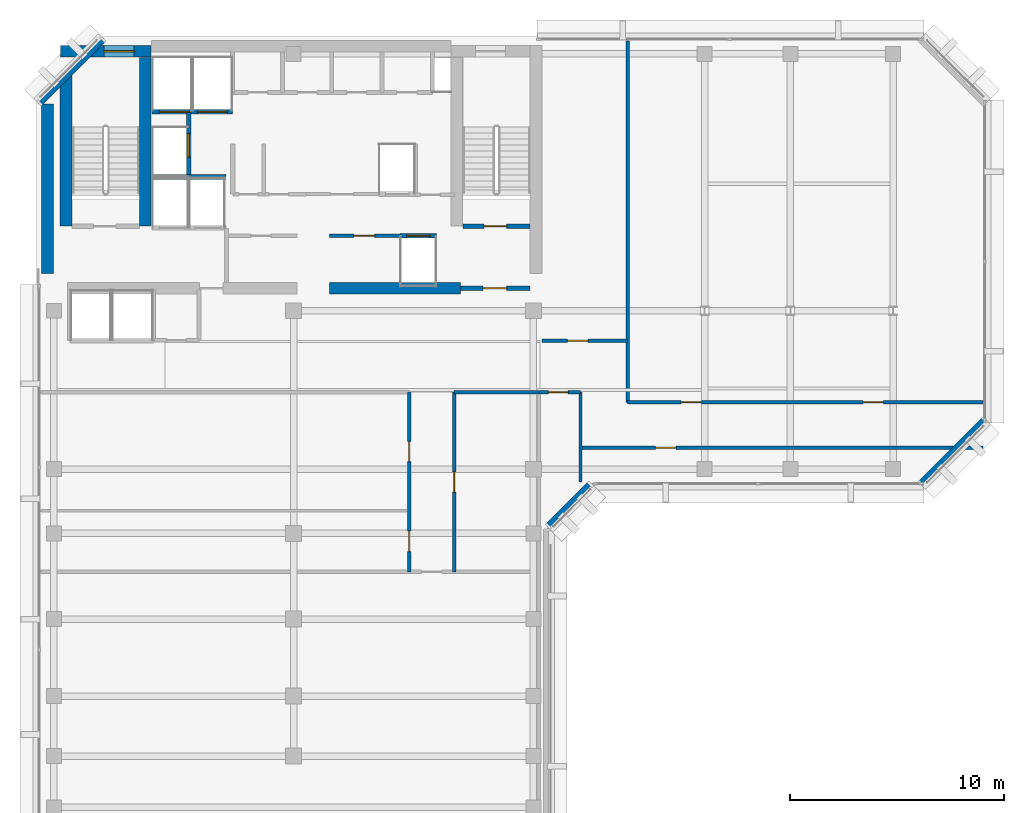
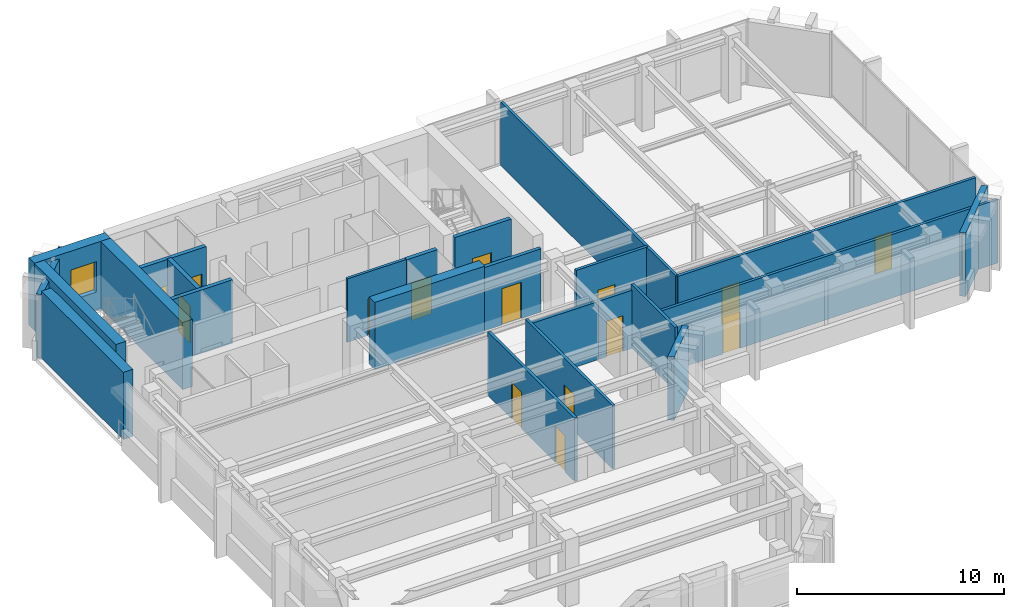
# One storey, part 7 of 12: 24 walls, 15 doors, 1 window, 16 openings.
"""IFC4 building model written with IfcOpenShell, lengths in metres."""

from ifc_helpers import new_model, si_unit, direction, frame, frame_2d, origin, place, context, subcontext, project, spatial, rectangle, extrude, material, layer, layer_set, type_object, element, fill, save


model = new_model("IFC4")

# Units and contexts
model_context = context("Model", 3, precision=1e-05, world=origin(), true_north=direction((0.0, 1.0)))
body_context = subcontext(model_context, "Body", "Model", "MODEL_VIEW")
ifc_project = project(units=[si_unit("LENGTHUNIT", "METRE"), si_unit("AREAUNIT", "SQUARE_METRE"), si_unit("VOLUMEUNIT", "CUBIC_METRE"), si_unit("PLANEANGLEUNIT", "RADIAN"), si_unit("MASSUNIT", "GRAM", prefix="KILO")], contexts=[model_context])

# Site, building, storey
site_placement = place(None, origin())
site = spatial("IfcSite", under=ifc_project, at=site_placement, CompositionType="ELEMENT")
building_placement = place(site_placement, origin())
building = spatial("IfcBuilding", under=site, at=building_placement, Name="Kefirva Bronze Tower", CompositionType="ELEMENT")
storey_placement = place(building_placement, frame((0.0, 0.0, 327.68994140625)))
storey = spatial("IfcBuildingStorey", under=building, at=storey_placement, Name="L80", CompositionType="ELEMENT", Elevation=327.68994140625)

# Wall, opening, door
ifc_material_1 = material(Name="Gypsum acoustic partition")
ifc_layer_1 = layer(ifc_material_1, 0.14990234375, Name="Gypsum acoustic partition")
ifc_layer_set_1 = layer_set([ifc_layer_1], Name="Gypsum acoustic partition")
wall_type_1 = type_object("IfcWallType", Name="Executive Suite Partition 150mm", PredefinedType="PARTITIONING", material=ifc_layer_set_1)
wall_1_placement = place(storey_placement, frame((13.679931640625, 36.699951171875, 0.0), z_axis=(0.0, 0.0, 1.0), x_axis=(1.0, 0.0, 0.0)))
wall_1 = element("IfcWall", 1, at=wall_1_placement, inside=storey, type_object=wall_type_1, Name="L80 Partition W-L80-RECMP1", PredefinedType="PARTITIONING", context=body_context, shape_type="SweptSolid", body=[
    extrude(rectangle(XDim=3.280029296875, YDim=0.14990234375, at=frame_2d((1.64013671875, 0.0))), origin(), (0.0, 0.0, 1.0), 3.739990234375),
])
opening_1_placement = place(wall_1_placement, frame((1.14990234375, 0.0, 0.0)))
opening_1 = element("IfcOpeningElement", 2, at=opening_1_placement, cuts=wall_1, Name="Opening L80-D-RECMP1", PredefinedType="OPENING", context=body_context, shape_type="SweptSolid", body=[
    extrude(rectangle(XDim=0.949951171875, YDim=2.14990234375, at=frame_2d((0.47509765625, 1.074951171875))), frame((0.0, 0.0849609375, 0.0), z_axis=(0.0, -1.0, 0.0), x_axis=(1.0, 0.0, 0.0)), (0.0, 0.0, 1.0), 0.169921875),
])
ifc_material_2 = material(Name="Acoustic hardwood oak", Category="wood")
door_type_1 = type_object("IfcDoorType", Name="Office & Meeting Room Door 950x2150", OperationType="NOTDEFINED", PredefinedType="DOOR", material=ifc_material_2)
door_1_placement = place(opening_1_placement, origin())
door_1 = element("IfcDoor", 3, at=door_1_placement, inside=storey, type_object=door_type_1, Name="Door L80-D-RECMP1", OperationType="SINGLE_SWING_LEFT", OverallHeight=2.14990234375, OverallWidth=0.949951171875, PredefinedType="DOOR", context=body_context, shape_type="SweptSolid", body=[
    extrude(rectangle(XDim=0.949951171875, YDim=2.14990234375, at=frame_2d((0.47509765625, 1.074951171875))), frame((0.0, 0.02490234375, 0.0), z_axis=(0.0, -1.0, 0.0), x_axis=(1.0, 0.0, 0.0)), (0.0, 0.0, 1.0), 0.050048828125),
])
fill(opening_1, door_1)

ifc_material_3 = material(Name="Gypsum fireboard shaftwall")
ifc_layer_2 = layer(ifc_material_3, 0.219970703125, Name="Gypsum fireboard shaftwall")
ifc_layer_set_2 = layer_set([ifc_layer_2], Name="Gypsum fireboard shaftwall")
wall_type_2 = type_object("IfcWallType", Name="Fire-Rated Shaft Enclosure Wall 220mm", PredefinedType="PARTITIONING", material=ifc_layer_set_2)
wall_2_placement = place(storey_placement, frame((19.89990234375, 37.14990234375, 0.0), z_axis=(0.0, 0.0, 1.0), x_axis=(1.0, 0.0, 0.0)))
wall_2 = element("IfcWall", 4, at=wall_2_placement, inside=storey, type_object=wall_type_2, Name="L80 Partition W-L80-ST2S", PredefinedType="PARTITIONING", context=body_context, shape_type="SweptSolid", body=[
    extrude(rectangle(XDim=3.150146484375, YDim=0.219970703125, at=frame_2d((1.5751953125, 0.0))), origin(), (0.0, 0.0, 1.0), 3.739990234375),
])
opening_2_placement = place(wall_2_placement, frame((2.050048828125, 0.0, 0.0), z_axis=(0.0, 0.0, 1.0), x_axis=(-1.0, 0.0, 0.0)))
opening_2 = element("IfcOpeningElement", 5, at=opening_2_placement, cuts=wall_2, Name="Opening L80-D003", PredefinedType="OPENING", context=body_context, shape_type="SweptSolid", body=[
    extrude(rectangle(XDim=1.050048828125, YDim=2.14990234375, at=frame_2d((0.52490234375, 1.074951171875))), frame((0.0, 0.1201171875, 0.0), z_axis=(0.0, -1.0, 0.0), x_axis=(1.0, 0.0, 0.0)), (0.0, 0.0, 1.0), 0.239990234375),
])
ifc_material_4 = material(Name="Painted galvanized steel", Category="steel")
door_type_2 = type_object("IfcDoorType", Name="Fire Stair Enclosure Door 1050x2150 FD90S", OperationType="NOTDEFINED", PredefinedType="DOOR", material=ifc_material_4)
door_2_placement = place(opening_2_placement, origin())
door_2 = element("IfcDoor", 6, at=door_2_placement, inside=storey, type_object=door_type_2, Name="Door L80-D003", OperationType="SINGLE_SWING_RIGHT", OverallHeight=2.14990234375, OverallWidth=1.050048828125, PredefinedType="DOOR", context=body_context, shape_type="SweptSolid", body=[
    extrude(rectangle(XDim=1.050048828125, YDim=2.14990234375, at=frame_2d((0.52490234375, 1.074951171875))), frame((0.0, 0.02490234375, 0.0), z_axis=(0.0, -1.0, 0.0), x_axis=(1.0, 0.0, 0.0)), (0.0, 0.0, 1.0), 0.050048828125),
])
fill(opening_2, door_2)

# Wall
wall_3_placement = place(storey_placement, frame((5.3798828125, 39.449951171875, 0.0), z_axis=(0.0, 0.0, 1.0), x_axis=(1.0, 0.0, 0.0)))
element("IfcWall", 7, at=wall_3_placement, inside=storey, type_object=wall_type_2, Name="L80 Partition W-L80-FFN", PredefinedType="PARTITIONING", context=body_context, shape_type="SweptSolid", body=[
    extrude(rectangle(XDim=3.460205078125, YDim=0.219970703125, at=frame_2d((1.72998046875, 0.0))), origin(), (0.0, 0.0, 1.0), 3.739990234375),
])

# Wall, openings, doors
wall_4_placement = place(storey_placement, frame((5.3798828125, 42.5, 0.0), z_axis=(0.0, 0.0, 1.0), x_axis=(1.0, 0.0, 0.0)))
wall_4 = element("IfcWall", 8, at=wall_4_placement, inside=storey, type_object=wall_type_2, Name="L80 Partition W-L80-SVS", PredefinedType="PARTITIONING", context=body_context, shape_type="SweptSolid", body=[
    extrude(rectangle(XDim=3.77001953125, YDim=0.219970703125, at=frame_2d((1.885009765625, 0.0))), origin(), (0.0, 0.0, 1.0), 3.739990234375),
])
opening_3_placement = place(wall_4_placement, frame((1.75, 0.0, 0.0), z_axis=(0.0, 0.0, 1.0), x_axis=(-1.0, 0.0, 0.0)))
opening_3 = element("IfcOpeningElement", 9, at=opening_3_placement, cuts=wall_4, Name="Opening L80-LD-SV1", PredefinedType="OPENING", context=body_context, shape_type="SweptSolid", body=[
    extrude(rectangle(XDim=1.39990234375, YDim=2.199951171875, at=frame_2d((0.699951171875, 1.10009765625))), frame((0.0, 0.1201171875, 0.0), z_axis=(0.0, -1.0, 0.0), x_axis=(1.0, 0.0, 0.0)), (0.0, 0.0, 1.0), 0.239990234375),
])
opening_4_placement = place(wall_4_placement, frame((3.52978515625, 0.0, 0.0), z_axis=(0.0, 0.0, 1.0), x_axis=(-1.0, 0.0, 0.0)))
opening_4 = element("IfcOpeningElement", 10, at=opening_4_placement, cuts=wall_4, Name="Opening L80-LD-SV2", PredefinedType="OPENING", context=body_context, shape_type="SweptSolid", body=[
    extrude(rectangle(XDim=1.39990234375, YDim=2.199951171875, at=frame_2d((0.699951171875, 1.10009765625))), frame((0.0, 0.1201171875, 0.0), z_axis=(0.0, -1.0, 0.0), x_axis=(1.0, 0.0, 0.0)), (0.0, 0.0, 1.0), 0.239990234375),
])
ifc_material_5 = material(Name="Stainless steel 316", Category="steel")
door_type_3 = type_object("IfcDoorType", Name="Goods Lift Bi-Parting Sliding Door 1400x2200", OperationType="SLIDING_TO_LEFT", PredefinedType="DOOR", material=ifc_material_5)
door_3_placement = place(opening_3_placement, origin())
door_3 = element("IfcDoor", 11, at=door_3_placement, inside=storey, type_object=door_type_3, Name="Door L80-LD-SV1", OperationType="SLIDING_TO_LEFT", OverallHeight=2.199951171875, OverallWidth=1.39990234375, PredefinedType="DOOR", context=body_context, shape_type="SweptSolid", body=[
    extrude(rectangle(XDim=1.39990234375, YDim=2.199951171875, at=frame_2d((0.699951171875, 1.10009765625))), frame((0.0, 0.02490234375, 0.0), z_axis=(0.0, -1.0, 0.0), x_axis=(1.0, 0.0, 0.0)), (0.0, 0.0, 1.0), 0.050048828125),
])
fill(opening_3, door_3)
door_4_placement = place(opening_4_placement, origin())
door_4 = element("IfcDoor", 12, at=door_4_placement, inside=storey, type_object=door_type_3, Name="Door L80-LD-SV2", OperationType="SLIDING_TO_LEFT", OverallHeight=2.199951171875, OverallWidth=1.39990234375, PredefinedType="DOOR", context=body_context, shape_type="SweptSolid", body=[
    extrude(rectangle(XDim=1.39990234375, YDim=2.199951171875, at=frame_2d((0.699951171875, 1.10009765625))), frame((0.0, 0.02490234375, 0.0), z_axis=(0.0, -1.0, 0.0), x_axis=(1.0, 0.0, 0.0)), (0.0, 0.0, 1.0), 0.050048828125),
])
fill(opening_4, door_4)

# Wall, opening, door
wall_5_placement = place(storey_placement, frame((7.10009765625, 39.52001953125, 0.0), z_axis=(0.0, 0.0, 1.0), x_axis=(0.0, 1.0, 0.0)))
wall_5 = element("IfcWall", 13, at=wall_5_placement, inside=storey, type_object=wall_type_2, Name="L80 Partition W-L80-HP3E", PredefinedType="PARTITIONING", context=body_context, shape_type="SweptSolid", body=[
    extrude(rectangle(XDim=2.929931640625, YDim=0.219970703125, at=frame_2d((1.46484375, 0.0))), origin(), (0.0, 0.0, 1.0), 3.739990234375),
])
opening_5_placement = place(wall_5_placement, frame((0.85009765625, 0.0, 0.0)))
opening_5 = element("IfcOpeningElement", 14, at=opening_5_placement, cuts=wall_5, Name="Opening L80-LD-HP3", PredefinedType="OPENING", context=body_context, shape_type="SweptSolid", body=[
    extrude(rectangle(XDim=1.10009765625, YDim=2.199951171875, at=frame_2d((0.550048828125, 1.10009765625))), frame((0.0, 0.1201171875, 0.0), z_axis=(0.0, -1.0, 0.0), x_axis=(1.0, 0.0, 0.0)), (0.0, 0.0, 1.0), 0.239990234375),
])
door_type_4 = type_object("IfcDoorType", Name="Passenger Lift Sliding Landing Door 1100x2200", OperationType="SLIDING_TO_LEFT", PredefinedType="DOOR", material=ifc_material_5)
door_5_placement = place(opening_5_placement, origin())
door_5 = element("IfcDoor", 15, at=door_5_placement, inside=storey, type_object=door_type_4, Name="Door L80-LD-HP3", OperationType="SLIDING_TO_LEFT", OverallHeight=2.199951171875, OverallWidth=1.10009765625, PredefinedType="DOOR", context=body_context, shape_type="SweptSolid", body=[
    extrude(rectangle(XDim=1.10009765625, YDim=2.199951171875, at=frame_2d((0.550048828125, 1.10009765625))), frame((0.0, 0.02490234375, 0.0), z_axis=(0.0, -1.0, 0.0), x_axis=(1.0, 0.0, 0.0)), (0.0, 0.0, 1.0), 0.050048828125),
])
fill(opening_5, door_5)

wall_6_placement = place(storey_placement, frame((16.97998046875, 36.699951171875, 0.0), z_axis=(0.0, 0.0, 1.0), x_axis=(1.0, 0.0, 0.0)))
wall_6 = element("IfcWall", 16, at=wall_6_placement, inside=storey, type_object=wall_type_2, Name="L80 Partition W-L80-HPS", PredefinedType="PARTITIONING", context=body_context, shape_type="SweptSolid", body=[
    extrude(rectangle(XDim=1.699951171875, YDim=0.219970703125, at=frame_2d((0.85009765625, 0.0))), origin(), (0.0, 0.0, 1.0), 3.739990234375),
])
opening_6_placement = place(wall_6_placement, frame((0.300048828125, 0.0, 0.0)))
opening_6 = element("IfcOpeningElement", 17, at=opening_6_placement, cuts=wall_6, Name="Opening L80-LD-HP1", PredefinedType="OPENING", context=body_context, shape_type="SweptSolid", body=[
    extrude(rectangle(XDim=1.10009765625, YDim=2.199951171875, at=frame_2d((0.550048828125, 1.10009765625))), frame((0.0, 0.1201171875, 0.0), z_axis=(0.0, -1.0, 0.0), x_axis=(1.0, 0.0, 0.0)), (0.0, 0.0, 1.0), 0.239990234375),
])
door_6_placement = place(opening_6_placement, origin())
door_6 = element("IfcDoor", 18, at=door_6_placement, inside=storey, type_object=door_type_4, Name="Door L80-LD-HP1", OperationType="SLIDING_TO_LEFT", OverallHeight=2.199951171875, OverallWidth=1.10009765625, PredefinedType="DOOR", context=body_context, shape_type="SweptSolid", body=[
    extrude(rectangle(XDim=1.10009765625, YDim=2.199951171875, at=frame_2d((0.550048828125, 1.10009765625))), frame((0.0, 0.02490234375, 0.0), z_axis=(0.0, -1.0, 0.0), x_axis=(1.0, 0.0, 0.0)), (0.0, 0.0, 1.0), 0.050048828125),
])
fill(opening_6, door_6)

ifc_material_6 = material(Name="Gypsum fireboard barrier")
ifc_layer_3 = layer(ifc_material_6, 0.199951171875, Name="Gypsum fireboard barrier")
ifc_layer_set_3 = layer_set([ifc_layer_3], Name="Gypsum fireboard barrier")
wall_type_3 = type_object("IfcWallType", Name="Firefighting Lobby Barrier Wall 200mm", PredefinedType="PARTITIONING", material=ifc_layer_set_3)
wall_7_placement = place(storey_placement, frame((19.800048828125, 34.25, 0.0), z_axis=(0.0, 0.0, 1.0), x_axis=(1.0, 0.0, 0.0)))
wall_7 = element("IfcWall", 19, at=wall_7_placement, inside=storey, type_object=wall_type_3, Name="L80 Partition W-L80-ST2F", PredefinedType="PARTITIONING", context=body_context, shape_type="SweptSolid", body=[
    extrude(rectangle(XDim=3.25, YDim=0.199951171875, at=frame_2d((1.625, 0.0))), origin(), (0.0, 0.0, 1.0), 3.739990234375),
])
opening_7_placement = place(wall_7_placement, frame((2.150146484375, 0.0, 0.0), z_axis=(0.0, 0.0, 1.0), x_axis=(-1.0, 0.0, 0.0)))
opening_7 = element("IfcOpeningElement", 20, at=opening_7_placement, cuts=wall_7, Name="Opening L80-D004", PredefinedType="OPENING", context=body_context, shape_type="SweptSolid", body=[
    extrude(rectangle(XDim=1.10009765625, YDim=2.14990234375, at=frame_2d((0.550048828125, 1.074951171875))), frame((0.0, 0.10986328125, 0.0), z_axis=(0.0, -1.0, 0.0), x_axis=(1.0, 0.0, 0.0)), (0.0, 0.0, 1.0), 0.219970703125),
])
door_type_5 = type_object("IfcDoorType", Name="Firefighting Lobby Smoke Door 1100x2150 FD60S", OperationType="NOTDEFINED", PredefinedType="DOOR", material=ifc_material_4)
door_7_placement = place(opening_7_placement, origin())
door_7 = element("IfcDoor", 21, at=door_7_placement, inside=storey, type_object=door_type_5, Name="Door L80-D004", OperationType="SINGLE_SWING_LEFT", OverallHeight=2.14990234375, OverallWidth=1.10009765625, PredefinedType="DOOR", context=body_context, shape_type="SweptSolid", body=[
    extrude(rectangle(XDim=1.10009765625, YDim=2.14990234375, at=frame_2d((0.550048828125, 1.074951171875))), frame((0.0, 0.02490234375, 0.0), z_axis=(0.0, -1.0, 0.0), x_axis=(1.0, 0.0, 0.0)), (0.0, 0.0, 1.0), 0.050048828125),
])
fill(opening_7, door_7)

# Walls
ifc_material_7 = material(Name="Precast concrete C40/50", Category="concrete")
ifc_layer_4 = layer(ifc_material_7, 0.320068359375, Name="Precast concrete C40/50")
ifc_layer_set_4 = layer_set([ifc_layer_4], Name="Precast concrete C40/50")
wall_type_4 = type_object("IfcWallType", Name="Precast Insulated Exterior Wall 320mm", PredefinedType="SOLIDWALL", material=ifc_layer_set_4)
wall_8_placement = place(storey_placement, frame((23.92578125, 23.152099609375, 0.0), z_axis=(0.0, 0.0, 1.0), x_axis=(0.707106781187, 0.707106781187, 0.0)))
element("IfcWall", 22, at=wall_8_placement, inside=storey, type_object=wall_type_4, Name="L80 Exterior Facade Wall 6", PredefinedType="SOLIDWALL", context=body_context, shape_type="SweptSolid", body=[
    extrude(rectangle(XDim=2.71826171875, YDim=0.320068359375, at=frame_2d((1.359130859375, 0.0))), origin(), (0.0, 0.0, 1.0), 3.739990234375),
])
for number, where, z_axis, x_axis, name in (
    (23, (41.32568359375, 25.152099609375, 0.0), (0.0, 0.0, 1.0), (0.707136318428, 0.707077242712, 0.0), "L80 Exterior Facade Wall 7"),
    (24, (3.07421875, 45.847900390625, 0.0), (0.0, 0.0, 1.0), (-0.707106781187, -0.707106781187, 0.0), "L80 Exterior Facade Wall 9"),
):
    element("IfcWall", number, at=place(storey_placement, frame(where, z_axis=z_axis, x_axis=x_axis)), inside=storey, type_object=wall_type_4, Name=name, PredefinedType="SOLIDWALL", context=body_context, shape_type="SweptSolid", body=[
        extrude(rectangle(XDim=4.132568359375, YDim=0.320068359375, at=frame_2d((2.06640625, 0.0))), origin(), (0.0, 0.0, 1.0), 3.739990234375),
    ])

# Wall, openings, doors
ifc_layer_5 = layer(ifc_material_1, 0.159912109375, Name="Gypsum acoustic partition")
ifc_layer_set_5 = layer_set([ifc_layer_5], Name="Gypsum acoustic partition")
wall_type_5 = type_object("IfcWallType", Name="Protected Corridor Partition 160mm", PredefinedType="PARTITIONING", material=ifc_layer_set_5)
wall_9_placement = place(storey_placement, frame((17.39990234375, 21.0, 0.0), z_axis=(0.0, 0.0, 1.0), x_axis=(0.0, 1.0, 0.0)))
wall_9 = element("IfcWall", 25, at=wall_9_placement, inside=storey, type_object=wall_type_5, Name="L80 Partition W-L80-SWCORW", PredefinedType="PARTITIONING", context=body_context, shape_type="SweptSolid", body=[
    extrude(rectangle(XDim=8.39990234375, YDim=0.159912109375, at=frame_2d((4.199951171875, 0.0))), origin(), (0.0, 0.0, 1.0), 3.739990234375),
])
opening_8_placement = place(wall_9_placement, frame((1.90283203125, 0.0, 0.0), z_axis=(0.0, 0.0, 1.0), x_axis=(-1.0, 0.0, 0.0)))
opening_8 = element("IfcOpeningElement", 26, at=opening_8_placement, cuts=wall_9, Name="Opening L80-D-SW1", PredefinedType="OPENING", context=body_context, shape_type="SweptSolid", body=[
    extrude(rectangle(XDim=0.949951171875, YDim=2.14990234375, at=frame_2d((0.47509765625, 1.074951171875))), frame((0.0, 0.08984375, 0.0), z_axis=(0.0, -1.0, 0.0), x_axis=(1.0, 0.0, 0.0)), (0.0, 0.0, 1.0), 0.179931640625),
])
opening_9_placement = place(wall_9_placement, frame((6.10302734375, 0.0, 0.0), z_axis=(0.0, 0.0, 1.0), x_axis=(-1.0, 0.0, 0.0)))
opening_9 = element("IfcOpeningElement", 27, at=opening_9_placement, cuts=wall_9, Name="Opening L80-D-SW2", PredefinedType="OPENING", context=body_context, shape_type="SweptSolid", body=[
    extrude(rectangle(XDim=0.949951171875, YDim=2.14990234375, at=frame_2d((0.47509765625, 1.074951171875))), frame((0.0, 0.08984375, 0.0), z_axis=(0.0, -1.0, 0.0), x_axis=(1.0, 0.0, 0.0)), (0.0, 0.0, 1.0), 0.179931640625),
])
door_8_placement = place(opening_8_placement, origin())
door_8 = element("IfcDoor", 28, at=door_8_placement, inside=storey, type_object=door_type_1, Name="Door L80-D-SW1", OperationType="SINGLE_SWING_RIGHT", OverallHeight=2.14990234375, OverallWidth=0.949951171875, PredefinedType="DOOR", context=body_context, shape_type="SweptSolid", body=[
    extrude(rectangle(XDim=0.949951171875, YDim=2.14990234375, at=frame_2d((0.47509765625, 1.074951171875))), frame((0.0, 0.02490234375, 0.0), z_axis=(0.0, -1.0, 0.0), x_axis=(1.0, 0.0, 0.0)), (0.0, 0.0, 1.0), 0.050048828125),
])
fill(opening_8, door_8)
door_9_placement = place(opening_9_placement, origin())
door_9 = element("IfcDoor", 29, at=door_9_placement, inside=storey, type_object=door_type_1, Name="Door L80-D-SW2", OperationType="SINGLE_SWING_LEFT", OverallHeight=2.14990234375, OverallWidth=0.949951171875, PredefinedType="DOOR", context=body_context, shape_type="SweptSolid", body=[
    extrude(rectangle(XDim=0.949951171875, YDim=2.14990234375, at=frame_2d((0.47509765625, 1.074951171875))), frame((0.0, 0.02490234375, 0.0), z_axis=(0.0, -1.0, 0.0), x_axis=(1.0, 0.0, 0.0)), (0.0, 0.0, 1.0), 0.050048828125),
])
fill(opening_9, door_9)

# Wall, opening, door
wall_10_placement = place(storey_placement, frame((19.5, 21.0, 0.0), z_axis=(0.0, 0.0, 1.0), x_axis=(0.0, 1.0, 0.0)))
wall_10 = element("IfcWall", 30, at=wall_10_placement, inside=storey, type_object=wall_type_5, Name="L80 Partition W-L80-SECORE", PredefinedType="PARTITIONING", context=body_context, shape_type="SweptSolid", body=[
    extrude(rectangle(XDim=8.39990234375, YDim=0.159912109375, at=frame_2d((4.199951171875, 0.0))), origin(), (0.0, 0.0, 1.0), 3.739990234375),
])
opening_10_placement = place(wall_10_placement, frame((3.72509765625, 0.0, 0.0)))
opening_10 = element("IfcOpeningElement", 31, at=opening_10_placement, cuts=wall_10, Name="Opening L80-D-SE1", PredefinedType="OPENING", context=body_context, shape_type="SweptSolid", body=[
    extrude(rectangle(XDim=0.949951171875, YDim=2.14990234375, at=frame_2d((0.47509765625, 1.074951171875))), frame((0.0, 0.08984375, 0.0), z_axis=(0.0, -1.0, 0.0), x_axis=(1.0, 0.0, 0.0)), (0.0, 0.0, 1.0), 0.179931640625),
])
door_10_placement = place(opening_10_placement, origin())
door_10 = element("IfcDoor", 32, at=door_10_placement, inside=storey, type_object=door_type_1, Name="Door L80-D-SE1", OperationType="SINGLE_SWING_RIGHT", OverallHeight=2.14990234375, OverallWidth=0.949951171875, PredefinedType="DOOR", context=body_context, shape_type="SweptSolid", body=[
    extrude(rectangle(XDim=0.949951171875, YDim=2.14990234375, at=frame_2d((0.47509765625, 1.074951171875))), frame((0.0, 0.02490234375, 0.0), z_axis=(0.0, -1.0, 0.0), x_axis=(1.0, 0.0, 0.0)), (0.0, 0.0, 1.0), 0.050048828125),
])
fill(opening_10, door_10)

# Walls
wall_11_placement = place(storey_placement, frame((19.5, 29.39990234375, 0.0), z_axis=(0.0, 0.0, 1.0), x_axis=(1.0, 0.0, 0.0)))
element("IfcWall", 33, at=wall_11_placement, inside=storey, type_object=wall_type_5, Name="L80 Partition W-L80-NET", PredefinedType="PARTITIONING", context=body_context, shape_type="SweptSolid", body=[
    extrude(rectangle(XDim=3.949951171875, YDim=0.159912109375, at=frame_2d((1.97509765625, 0.0))), origin(), (0.0, 0.0, 1.0), 3.425048828125),
])
wall_12_placement = place(storey_placement, frame((25.39990234375, 25.18994140625, 0.0), z_axis=(0.0, 0.0, 1.0), x_axis=(0.0, 1.0, 0.0)))
element("IfcWall", 34, at=wall_12_placement, inside=storey, type_object=wall_type_5, Name="L80 Partition W-L80-E29W", PredefinedType="PARTITIONING", context=body_context, shape_type="SweptSolid", body=[
    extrude(rectangle(XDim=4.2099609375, YDim=0.159912109375, at=frame_2d((2.10498046875, 0.0))), origin(), (0.0, 0.0, 1.0), 3.739990234375),
])

# Wall, opening, door
wall_13_placement = place(storey_placement, frame((23.60009765625, 31.800048828125, 0.0), z_axis=(0.0, 0.0, 1.0), x_axis=(1.0, 0.0, 0.0)))
wall_13 = element("IfcWall", 35, at=wall_13_placement, inside=storey, type_object=wall_type_5, Name="L80 Partition W-L80-E29N0", PredefinedType="PARTITIONING", context=body_context, shape_type="SweptSolid", body=[
    extrude(rectangle(XDim=4.0, YDim=0.159912109375, at=frame_2d((2.0, 0.0))), origin(), (0.0, 0.0, 1.0), 3.739990234375),
])
opening_11_placement = place(wall_13_placement, frame((1.199951171875, 0.0, 0.0)))
opening_11 = element("IfcOpeningElement", 36, at=opening_11_placement, cuts=wall_13, Name="Opening L80-D-E29NW", PredefinedType="OPENING", context=body_context, shape_type="SweptSolid", body=[
    extrude(rectangle(XDim=0.949951171875, YDim=2.14990234375, at=frame_2d((0.47509765625, 1.074951171875))), frame((0.0, 0.08984375, 0.0), z_axis=(0.0, -1.0, 0.0), x_axis=(1.0, 0.0, 0.0)), (0.0, 0.0, 1.0), 0.179931640625),
])
door_11_placement = place(opening_11_placement, origin())
door_11 = element("IfcDoor", 37, at=door_11_placement, inside=storey, type_object=door_type_1, Name="Door L80-D-E29NW", OperationType="SINGLE_SWING_LEFT", OverallHeight=2.14990234375, OverallWidth=0.949951171875, PredefinedType="DOOR", context=body_context, shape_type="SweptSolid", body=[
    extrude(rectangle(XDim=0.949951171875, YDim=2.14990234375, at=frame_2d((0.47509765625, 1.074951171875))), frame((0.0, 0.02490234375, 0.0), z_axis=(0.0, -1.0, 0.0), x_axis=(1.0, 0.0, 0.0)), (0.0, 0.0, 1.0), 0.050048828125),
])
fill(opening_11, door_11)

# Wall
wall_14_placement = place(storey_placement, frame((27.60009765625, 28.919921875, 0.0), z_axis=(0.0, 0.0, 1.0), x_axis=(0.0, 1.0, 0.0)))
element("IfcWall", 38, at=wall_14_placement, inside=storey, type_object=wall_type_5, Name="L80 Partition W-L80-E29NW", PredefinedType="PARTITIONING", context=body_context, shape_type="SweptSolid", body=[
    extrude(rectangle(XDim=16.89013671875, YDim=0.159912109375, at=frame_2d((8.445068359375, 0.0))), origin(), (0.0, 0.0, 1.0), 3.739990234375),
])

# Wall, opening, door
wall_15_placement = place(storey_placement, frame((25.39990234375, 26.800048828125, 0.0), z_axis=(0.0, 0.0, 1.0), x_axis=(1.0, 0.0, 0.0)))
wall_15 = element("IfcWall", 39, at=wall_15_placement, inside=storey, type_object=wall_type_5, Name="L80 Partition W-L80-E29S", PredefinedType="PARTITIONING", context=body_context, shape_type="SweptSolid", body=[
    extrude(rectangle(XDim=18.81005859375, YDim=0.159912109375, at=frame_2d((9.405029296875, 0.0))), origin(), (0.0, 0.0, 1.0), 3.739990234375),
])
opening_12_placement = place(wall_15_placement, frame((4.449951171875, 0.0, 0.0), z_axis=(0.0, 0.0, 1.0), x_axis=(-1.0, 0.0, 0.0)))
opening_12 = element("IfcOpeningElement", 40, at=opening_12_placement, cuts=wall_15, Name="Opening L80-D-E29S1", PredefinedType="OPENING", context=body_context, shape_type="SweptSolid", body=[
    extrude(rectangle(XDim=0.949951171875, YDim=2.14990234375, at=frame_2d((0.47509765625, 1.074951171875))), frame((0.0, 0.08984375, 0.0), z_axis=(0.0, -1.0, 0.0), x_axis=(1.0, 0.0, 0.0)), (0.0, 0.0, 1.0), 0.179931640625),
])
door_12_placement = place(opening_12_placement, origin())
door_12 = element("IfcDoor", 41, at=door_12_placement, inside=storey, type_object=door_type_1, Name="Door L80-D-E29S1", OperationType="SINGLE_SWING_LEFT", OverallHeight=2.14990234375, OverallWidth=0.949951171875, PredefinedType="DOOR", context=body_context, shape_type="SweptSolid", body=[
    extrude(rectangle(XDim=0.949951171875, YDim=2.14990234375, at=frame_2d((0.47509765625, 1.074951171875))), frame((0.0, 0.02490234375, 0.0), z_axis=(0.0, -1.0, 0.0), x_axis=(1.0, 0.0, 0.0)), (0.0, 0.0, 1.0), 0.050048828125),
])
fill(opening_12, door_12)

# Wall, openings, doors
wall_16_placement = place(storey_placement, frame((27.60009765625, 28.919921875, 0.0), z_axis=(0.0, 0.0, 1.0), x_axis=(1.0, 0.0, 0.0)))
wall_16 = element("IfcWall", 42, at=wall_16_placement, inside=storey, type_object=wall_type_5, Name="L80 Partition W-L80-E29N", PredefinedType="PARTITIONING", context=body_context, shape_type="SweptSolid", body=[
    extrude(rectangle(XDim=16.60986328125, YDim=0.159912109375, at=frame_2d((8.304931640625, 0.0))), origin(), (0.0, 0.0, 1.0), 3.739990234375),
])
opening_13_placement = place(wall_16_placement, frame((2.5, 0.0, 0.0)))
opening_13 = element("IfcOpeningElement", 43, at=opening_13_placement, cuts=wall_16, Name="Opening L80-D-E29BIG1", PredefinedType="OPENING", context=body_context, shape_type="SweptSolid", body=[
    extrude(rectangle(XDim=0.949951171875, YDim=2.14990234375, at=frame_2d((0.47509765625, 1.074951171875))), frame((0.0, 0.08984375, 0.0), z_axis=(0.0, -1.0, 0.0), x_axis=(1.0, 0.0, 0.0)), (0.0, 0.0, 1.0), 0.179931640625),
])
opening_14_placement = place(wall_16_placement, frame((11.0, 0.0, 0.0)))
opening_14 = element("IfcOpeningElement", 44, at=opening_14_placement, cuts=wall_16, Name="Opening L80-D-E29BIG2", PredefinedType="OPENING", context=body_context, shape_type="SweptSolid", body=[
    extrude(rectangle(XDim=0.949951171875, YDim=2.14990234375, at=frame_2d((0.47509765625, 1.074951171875))), frame((0.0, 0.08984375, 0.0), z_axis=(0.0, -1.0, 0.0), x_axis=(1.0, 0.0, 0.0)), (0.0, 0.0, 1.0), 0.179931640625),
])
door_13_placement = place(opening_13_placement, origin())
door_13 = element("IfcDoor", 45, at=door_13_placement, inside=storey, type_object=door_type_1, Name="Door L80-D-E29BIG1", OperationType="SINGLE_SWING_RIGHT", OverallHeight=2.14990234375, OverallWidth=0.949951171875, PredefinedType="DOOR", context=body_context, shape_type="SweptSolid", body=[
    extrude(rectangle(XDim=0.949951171875, YDim=2.14990234375, at=frame_2d((0.47509765625, 1.074951171875))), frame((0.0, 0.02490234375, 0.0), z_axis=(0.0, -1.0, 0.0), x_axis=(1.0, 0.0, 0.0)), (0.0, 0.0, 1.0), 0.050048828125),
])
fill(opening_13, door_13)
door_14_placement = place(opening_14_placement, origin())
door_14 = element("IfcDoor", 46, at=door_14_placement, inside=storey, type_object=door_type_1, Name="Door L80-D-E29BIG2", OperationType="SINGLE_SWING_LEFT", OverallHeight=2.14990234375, OverallWidth=0.949951171875, PredefinedType="DOOR", context=body_context, shape_type="SweptSolid", body=[
    extrude(rectangle(XDim=0.949951171875, YDim=2.14990234375, at=frame_2d((0.47509765625, 1.074951171875))), frame((0.0, 0.02490234375, 0.0), z_axis=(0.0, -1.0, 0.0), x_axis=(1.0, 0.0, 0.0)), (0.0, 0.0, 1.0), 0.050048828125),
])
fill(opening_14, door_14)

# Wall, opening, door
wall_17_placement = place(storey_placement, frame((23.449951171875, 29.39990234375, 0.0), z_axis=(0.0, 0.0, 1.0), x_axis=(1.0, 0.0, 0.0)))
wall_17 = element("IfcWall", 47, at=wall_17_placement, inside=storey, type_object=wall_type_5, Name="L80 Partition W-L80-E29WP", PredefinedType="PARTITIONING", context=body_context, shape_type="SweptSolid", body=[
    extrude(rectangle(XDim=1.949951171875, YDim=0.159912109375, at=frame_2d((0.97509765625, 0.0))), origin(), (0.0, 0.0, 1.0), 3.425048828125),
])
opening_15_placement = place(wall_17_placement, frame((1.369873046875, 0.0, 0.0), z_axis=(0.0, 0.0, 1.0), x_axis=(-1.0, 0.0, 0.0)))
opening_15 = element("IfcOpeningElement", 48, at=opening_15_placement, cuts=wall_17, Name="Opening L80-D-E29WP", PredefinedType="OPENING", context=body_context, shape_type="SweptSolid", body=[
    extrude(rectangle(XDim=0.919921875, YDim=2.10009765625, at=frame_2d((0.4599609375, 1.050048828125))), frame((0.0, 0.08984375, 0.0), z_axis=(0.0, -1.0, 0.0), x_axis=(1.0, 0.0, 0.0)), (0.0, 0.0, 1.0), 0.179931640625),
])
ifc_material_8 = material(Name="Moisture-resistant timber", Category="wood")
door_type_6 = type_object("IfcDoorType", Name="Accessible Sanitary & WC Door 920x2100", OperationType="NOTDEFINED", PredefinedType="DOOR", material=ifc_material_8)
door_15_placement = place(opening_15_placement, origin())
door_15 = element("IfcDoor", 49, at=door_15_placement, inside=storey, type_object=door_type_6, Name="Door L80-D-E29WP", OperationType="SINGLE_SWING_RIGHT", OverallHeight=2.10009765625, OverallWidth=0.919921875, PredefinedType="DOOR", context=body_context, shape_type="SweptSolid", body=[
    extrude(rectangle(XDim=0.919921875, YDim=2.10009765625, at=frame_2d((0.4599609375, 1.050048828125))), frame((0.0, 0.02490234375, 0.0), z_axis=(0.0, -1.0, 0.0), x_axis=(1.0, 0.0, 0.0)), (0.0, 0.0, 1.0), 0.050048828125),
])
fill(opening_15, door_15)

# Wall
ifc_material_9 = material(Name="Concrete C50/60", Category="concrete")
ifc_layer_6 = layer(ifc_material_9, 0.550048828125, Name="Concrete C50/60")
ifc_layer_set_6 = layer_set([ifc_layer_6], Name="Concrete C50/60")
wall_type_6 = type_object("IfcWallType", Name="RC Rear Core Exterior Wall 550mm", PredefinedType="SHEAR", material=ifc_layer_set_6)
wall_18_placement = place(storey_placement, frame((0.5, 34.949951171875, 0.0), z_axis=(0.0, 0.0, 1.0), x_axis=(0.0, 1.0, 0.0)))
element("IfcWall", 50, at=wall_18_placement, inside=storey, type_object=wall_type_6, Name="L80 Rear Core West Shear Wall", PredefinedType="SHEAR", context=body_context, shape_type="SweptSolid", body=[
    extrude(rectangle(XDim=7.900146484375, YDim=0.550048828125, at=frame_2d((3.9501953125, 0.0))), origin(), (0.0, 0.0, 1.0), 3.9599609375),
])

# Wall, opening, window
wall_19_placement = place(storey_placement, frame((1.10009765625, 45.320068359375, 0.0), z_axis=(0.0, 0.0, 1.0), x_axis=(1.0, 0.0, 0.0)))
wall_19 = element("IfcWall", 51, at=wall_19_placement, inside=storey, type_object=wall_type_6, Name="L80 Stair 1 North Shear Wall", PredefinedType="SHEAR", context=body_context, shape_type="SweptSolid", body=[
    extrude(rectangle(XDim=4.239990234375, YDim=0.550048828125, at=frame_2d((2.1201171875, 0.0))), origin(), (0.0, 0.0, 1.0), 3.9599609375),
])
opening_16_placement = place(wall_19_placement, frame((2.050048828125, 0.0, 1.050048828125)))
opening_16 = element("IfcOpeningElement", 52, at=opening_16_placement, cuts=wall_19, Name="Opening WN-03", PredefinedType="OPENING", context=body_context, shape_type="SweptSolid", body=[
    extrude(rectangle(XDim=1.39990234375, YDim=1.800048828125, at=frame_2d((0.699951171875, 0.89990234375))), frame((0.0, 0.28515625, 0.0), z_axis=(0.0, -1.0, 0.0), x_axis=(1.0, 0.0, 0.0)), (0.0, 0.0, 1.0), 0.570068359375),
])
ifc_material_10 = material(Name="Laminated low-E double glazing", Category="glass")
window_type = type_object("IfcWindowType", Name="Rear-Core Stair Daylight Window 1400x1800", PartitioningType="SINGLE_PANEL", PredefinedType="WINDOW", material=ifc_material_10)
window_placement = place(opening_16_placement, origin())
window = element("IfcWindow", 53, at=window_placement, inside=storey, type_object=window_type, Name="L80 Stair 1 Daylight Window", OverallHeight=1.800048828125, OverallWidth=1.39990234375, PartitioningType="SINGLE_PANEL", PredefinedType="WINDOW", context=body_context, shape_type="SweptSolid", body=[
    extrude(rectangle(XDim=1.39990234375, YDim=1.800048828125, at=frame_2d((0.699951171875, 0.89990234375))), frame((0.0, 0.030029296875, 0.0), z_axis=(0.0, -1.0, 0.0), x_axis=(1.0, 0.0, 0.0)), (0.0, 0.0, 1.0), 0.06005859375),
])
fill(opening_16, window)

# Walls
ifc_layer_7 = layer(ifc_material_9, 0.550048828125, Name="Concrete C50/60")
ifc_layer_set_7 = layer_set([ifc_layer_7], Name="Concrete C50/60")
wall_type_7 = type_object("IfcWallType", Name="RC Rear Core Interior Wall 550mm", PredefinedType="SHEAR", material=ifc_layer_set_7)
wall_20_placement = place(storey_placement, frame((13.679931640625, 34.25, 0.0), z_axis=(0.0, 0.0, 1.0), x_axis=(1.0, 0.0, 0.0)))
element("IfcWall", 54, at=wall_20_placement, inside=storey, type_object=wall_type_7, Name="L80 Rear Core South-East Shear Wall", PredefinedType="SHEAR", context=body_context, shape_type="SweptSolid", body=[
    extrude(rectangle(XDim=6.1201171875, YDim=0.550048828125, at=frame_2d((3.06005859375, 0.0))), origin(), (0.0, 0.0, 1.0), 3.9599609375),
])
for number, where, z_axis, x_axis, name in (
    (55, (1.3701171875, 37.14990234375, 0.0), (0.0, 0.0, 1.0), (0.0, 1.0, 0.0), "L80 Stair 1 West Shear Wall"),
    (56, (5.070068359375, 37.14990234375, 0.0), (0.0, 0.0, 1.0), (0.0, 1.0, 0.0), "L80 Stair 1 East Shear Wall"),
):
    element("IfcWall", number, at=place(storey_placement, frame(where, z_axis=z_axis, x_axis=x_axis)), inside=storey, type_object=wall_type_7, Name=name, PredefinedType="SHEAR", context=body_context, shape_type="SweptSolid", body=[
        extrude(rectangle(XDim=7.89013671875, YDim=0.550048828125, at=frame_2d((3.945068359375, 0.0))), origin(), (0.0, 0.0, 1.0), 3.9599609375),
    ])

save(model, "model.ifc")
